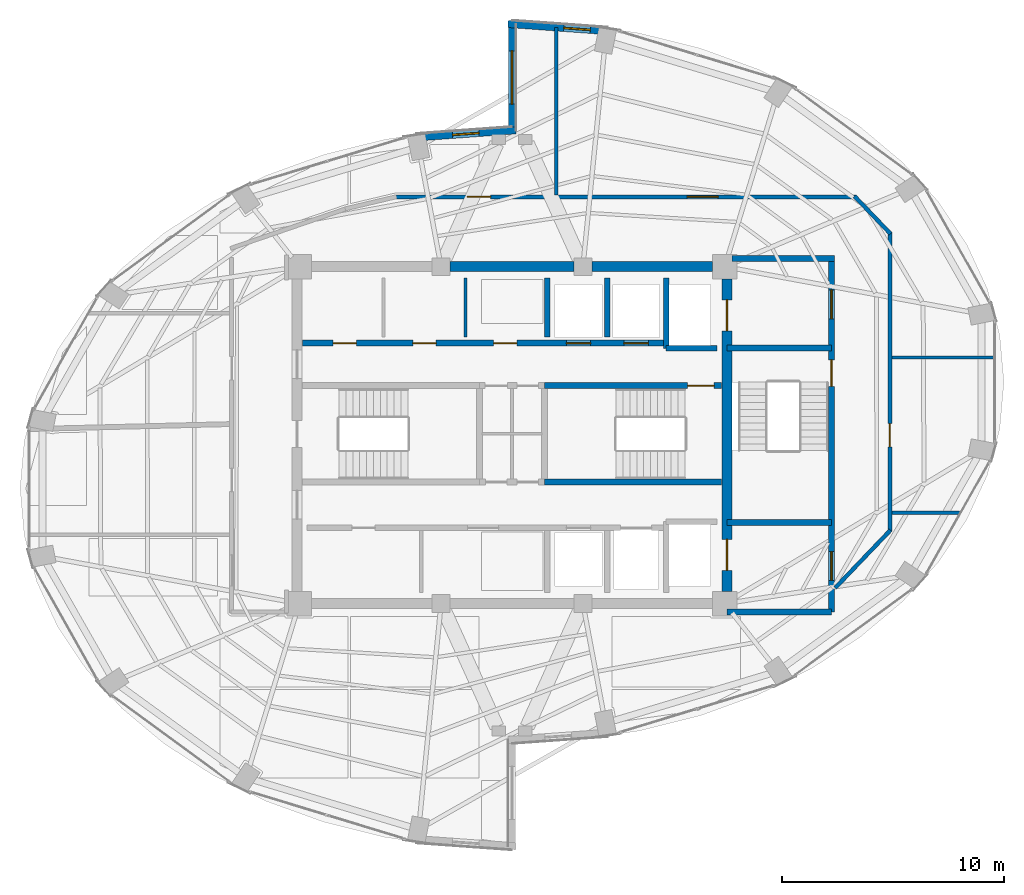
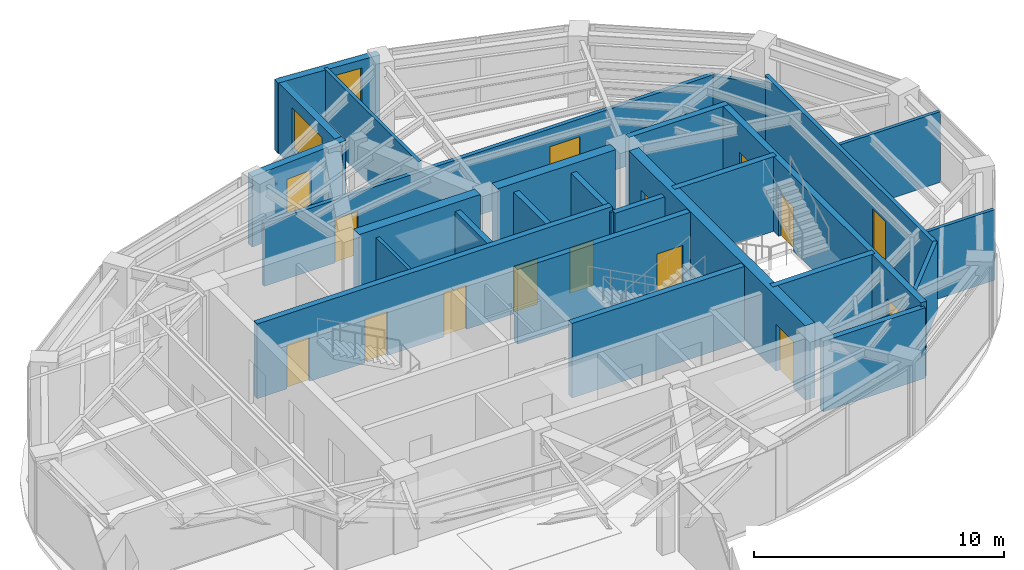
# One storey, part 20 of 23: 26 walls, 14 doors, 3 windows, 17 openings.
"""IFC4 building model written with IfcOpenShell, lengths in metres."""

from ifc_helpers import new_model, si_unit, direction, frame, frame_2d, origin, place, context, subcontext, project, spatial, rectangle, extrude, material, layer, layer_set, type_object, element, fill, save


model = new_model("IFC4")

# Units and contexts
model_context = context("Model", 3, precision=1e-05, world=origin(), true_north=direction((0.0, 1.0)))
body_context = subcontext(model_context, "Body", "Model", "MODEL_VIEW")
ifc_project = project(units=[si_unit("LENGTHUNIT", "METRE"), si_unit("AREAUNIT", "SQUARE_METRE"), si_unit("VOLUMEUNIT", "CUBIC_METRE"), si_unit("PLANEANGLEUNIT", "RADIAN"), si_unit("MASSUNIT", "GRAM", prefix="KILO")], contexts=[model_context])

# Site, building, storey
site_placement = place(None, origin())
site = spatial("IfcSite", under=ifc_project, at=site_placement, CompositionType="ELEMENT")
building_placement = place(site_placement, origin())
building = spatial("IfcBuilding", under=site, at=building_placement, Name="Lazwardi Medical Tower", CompositionType="ELEMENT")
storey_placement = place(building_placement, frame((0.0, 0.0, 234.9599609375)))
storey = spatial("IfcBuildingStorey", under=building, at=storey_placement, Name="L61", CompositionType="ELEMENT", Elevation=234.9599609375)

# Wall, openings, doors
ifc_material_1 = material(Name="Fire-rated gypsum board on steel stud", Category="steel")
ifc_layer_1 = layer(ifc_material_1, 0.179931640625)
ifc_layer_set_1 = layer_set([ifc_layer_1], Name="Fire-rated gypsum board on steel stud")
wall_type_1 = type_object("IfcWallType", Name="WL-COR-180", PredefinedType="PARTITIONING", material=ifc_layer_set_1)
wall_1_placement = place(storey_placement, frame((30.709716796875, 38.75, 0.0), z_axis=(0.0, 0.0, 1.0), x_axis=(1.0, 0.0, 0.0)))
wall_1 = element("IfcWall", 1, at=wall_1_placement, inside=storey, type_object=wall_type_1, Name="L61 Corridor partition 3", PredefinedType="PARTITIONING", context=body_context, shape_type="SweptSolid", body=[
    extrude(rectangle(XDim=20.8154296875, YDim=0.179931640625, at=frame_2d((10.40771484375, 0.0))), origin(), (0.0, 0.0, 1.0), 3.072998046875),
])
opening_1_placement = place(wall_1_placement, frame((13.19384765625, 0.0, 0.0)))
opening_1 = element("IfcOpeningElement", 2, at=opening_1_placement, cuts=wall_1, Name="Opening D-L61-017", PredefinedType="OPENING", context=body_context, shape_type="SweptSolid", body=[
    extrude(rectangle(XDim=1.39990234375, YDim=2.199951171875, at=frame_2d((0.699951171875, 1.10009765625))), frame((0.0, 0.099853515625, 0.0), z_axis=(0.0, -1.0, 0.0), x_axis=(1.0, 0.0, 0.0)), (0.0, 0.0, 1.0), 0.199951171875),
])
opening_2_placement = place(wall_1_placement, frame((3.279052734375, 0.0, 0.0)))
opening_2 = element("IfcOpeningElement", 3, at=opening_2_placement, cuts=wall_1, Name="Opening D-L61-018", PredefinedType="OPENING", context=body_context, shape_type="SweptSolid", body=[
    extrude(rectangle(XDim=1.050048828125, YDim=2.14990234375, at=frame_2d((0.52490234375, 1.074951171875))), frame((0.0, 0.099853515625, 0.0), z_axis=(0.0, -1.0, 0.0), x_axis=(1.0, 0.0, 0.0)), (0.0, 0.0, 1.0), 0.199951171875),
])
ifc_material_2 = material(Name="Anti-microbial laminate hospital leaf")
door_type_1 = type_object("IfcDoorType", Name="DR-BED-1400", OperationType="NOTDEFINED", PredefinedType="DOOR", material=ifc_material_2)
door_1_placement = place(opening_1_placement, origin())
door_1 = element("IfcDoor", 4, at=door_1_placement, inside=storey, type_object=door_type_1, Name="L61 Patient Day Lounge Door 04", OperationType="SINGLE_SWING_RIGHT", OverallHeight=2.199951171875, OverallWidth=1.39990234375, PredefinedType="DOOR", context=body_context, shape_type="SweptSolid", body=[
    extrude(rectangle(XDim=1.39990234375, YDim=2.199951171875, at=frame_2d((0.699951171875, 1.10009765625))), frame((0.0, 0.02490234375, 0.0), z_axis=(0.0, -1.0, 0.0), x_axis=(1.0, 0.0, 0.0)), (0.0, 0.0, 1.0), 0.050048828125),
])
fill(opening_1, door_1)
door_type_2 = type_object("IfcDoorType", Name="DR-CLN-1050", OperationType="NOTDEFINED", PredefinedType="DOOR", material=ifc_material_2)
door_2_placement = place(opening_2_placement, origin())
door_2 = element("IfcDoor", 5, at=door_2_placement, inside=storey, type_object=door_type_2, Name="L61 Clinical Specialist Office Door 05", OperationType="SINGLE_SWING_LEFT", OverallHeight=2.14990234375, OverallWidth=1.050048828125, PredefinedType="DOOR", context=body_context, shape_type="SweptSolid", body=[
    extrude(rectangle(XDim=1.050048828125, YDim=2.14990234375, at=frame_2d((0.52490234375, 1.074951171875))), frame((0.0, 0.02490234375, 0.0), z_axis=(0.0, -1.0, 0.0), x_axis=(1.0, 0.0, 0.0)), (0.0, 0.0, 1.0), 0.050048828125),
])
fill(opening_2, door_2)

# Wall
wall_2_placement = place(storey_placement, frame((51.45751953125, 38.77880859375, 0.0), z_axis=(0.0, 0.0, 1.0), x_axis=(0.691359830363, -0.722510612352, 0.0)))
element("IfcWall", 6, at=wall_2_placement, inside=storey, type_object=wall_type_1, Name="L61 Corridor partition 4", PredefinedType="PARTITIONING", context=body_context, shape_type="SweptSolid", body=[
    extrude(rectangle(XDim=2.34326171875, YDim=0.179931640625, at=frame_2d((1.171630859375, 0.0))), origin(), (0.0, 0.0, 1.0), 3.032958984375),
])

# Wall, opening, door
wall_3_placement = place(storey_placement, frame((53.050048828125, 37.154541015625, 0.0), z_axis=(0.0, 0.0, 1.0), x_axis=(0.0, -1.0, 0.0)))
wall_3 = element("IfcWall", 7, at=wall_3_placement, inside=storey, type_object=wall_type_1, Name="L61 Corridor partition 5", PredefinedType="PARTITIONING", context=body_context, shape_type="SweptSolid", body=[
    extrude(rectangle(XDim=13.509033203125, YDim=0.179931640625, at=frame_2d((6.75439453125, 0.0))), origin(), (0.0, 0.0, 1.0), 3.447998046875),
])
opening_3_placement = place(wall_3_placement, frame((8.62939453125, 0.0, 0.0)))
opening_3 = element("IfcOpeningElement", 8, at=opening_3_placement, cuts=wall_3, Name="Opening D-L61-016", PredefinedType="OPENING", context=body_context, shape_type="SweptSolid", body=[
    extrude(rectangle(XDim=1.050048828125, YDim=2.14990234375, at=frame_2d((0.52490234375, 1.074951171875))), frame((0.0, 0.099853515625, 0.0), z_axis=(0.0, -1.0, 0.0), x_axis=(1.0, 0.0, 0.0)), (0.0, 0.0, 1.0), 0.199951171875),
])
door_3_placement = place(opening_3_placement, origin())
door_3 = element("IfcDoor", 9, at=door_3_placement, inside=storey, type_object=door_type_2, Name="L61 Outpatient Clinic Door 03", OperationType="SINGLE_SWING_LEFT", OverallHeight=2.14990234375, OverallWidth=1.050048828125, PredefinedType="DOOR", context=body_context, shape_type="SweptSolid", body=[
    extrude(rectangle(XDim=1.050048828125, YDim=2.14990234375, at=frame_2d((0.52490234375, 1.074951171875))), frame((0.0, 0.02490234375, 0.0), z_axis=(0.0, -1.0, 0.0), x_axis=(1.0, 0.0, 0.0)), (0.0, 0.0, 1.0), 0.050048828125),
])
fill(opening_3, door_3)

# Wall
wall_4_placement = place(storey_placement, frame((53.07763671875, 23.71435546875, 0.0), z_axis=(0.0, 0.0, 1.0), x_axis=(-0.691353379446, -0.722516785085, 0.0)))
element("IfcWall", 10, at=wall_4_placement, inside=storey, type_object=wall_type_1, Name="L61 Corridor partition 6", PredefinedType="PARTITIONING", context=body_context, shape_type="SweptSolid", body=[
    extrude(rectangle(XDim=3.603759765625, YDim=0.179931640625, at=frame_2d((1.8017578125, 0.0))), origin(), (0.0, 0.0, 1.0), 3.447998046875),
])

# Wall, openings, doors
ifc_material_3 = material(Name="Concrete C60/75", Category="concrete")
ifc_layer_2 = layer(ifc_material_3, 0.449951171875)
ifc_layer_set_2 = layer_set([ifc_layer_2], Name="Concrete C60/75")
wall_type_2 = type_object("IfcWallType", Name="WL-CORE-450", PredefinedType="SHEAR", material=ifc_layer_set_2)
wall_5_placement = place(storey_placement, frame((45.699951171875, 20.949951171875, 0.0), z_axis=(0.0, 0.0, 1.0), x_axis=(0.0, 1.0, 0.0)))
wall_5 = element("IfcWall", 11, at=wall_5_placement, inside=storey, type_object=wall_type_2, Name="Core wall CW-S4 east L61", PredefinedType="SHEAR", context=body_context, shape_type="SweptSolid", body=[
    extrude(rectangle(XDim=14.10009765625, YDim=0.449951171875, at=frame_2d((7.050048828125, 0.0))), origin(), (0.0, 0.0, 1.0), 3.64794921875),
])
opening_4_placement = place(wall_5_placement, frame((11.75, 0.0, 0.0)))
opening_4 = element("IfcOpeningElement", 12, at=opening_4_placement, cuts=wall_5, Name="Opening LD-L61-001", PredefinedType="OPENING", context=body_context, shape_type="SweptSolid", body=[
    extrude(rectangle(XDim=1.39990234375, YDim=2.300048828125, at=frame_2d((0.699951171875, 1.14990234375))), frame((0.0, 0.23486328125, 0.0), z_axis=(0.0, -1.0, 0.0), x_axis=(1.0, 0.0, 0.0)), (0.0, 0.0, 1.0), 0.469970703125),
])
opening_5_placement = place(wall_5_placement, frame((0.949951171875, 0.0, 0.0)))
opening_5 = element("IfcOpeningElement", 13, at=opening_5_placement, cuts=wall_5, Name="Opening LD-L61-002", PredefinedType="OPENING", context=body_context, shape_type="SweptSolid", body=[
    extrude(rectangle(XDim=1.39990234375, YDim=2.300048828125, at=frame_2d((0.699951171875, 1.14990234375))), frame((0.0, 0.23486328125, 0.0), z_axis=(0.0, -1.0, 0.0), x_axis=(1.0, 0.0, 0.0)), (0.0, 0.0, 1.0), 0.469970703125),
])
ifc_material_4 = material(Name="Brushed stainless steel bed-lift landing door", Category="steel")
door_type_3 = type_object("IfcDoorType", Name="DR-LFT-1400", OperationType="NOTDEFINED", PredefinedType="DOOR", material=ifc_material_4)
door_4_placement = place(opening_4_placement, origin())
door_4 = element("IfcDoor", 14, at=door_4_placement, inside=storey, type_object=door_type_3, Name="L61 Lift Landing Door FL-01", OperationType="SLIDING_TO_LEFT", OverallHeight=2.300048828125, OverallWidth=1.39990234375, PredefinedType="DOOR", context=body_context, shape_type="SweptSolid", body=[
    extrude(rectangle(XDim=1.39990234375, YDim=2.300048828125, at=frame_2d((0.699951171875, 1.14990234375))), frame((0.0, 0.02490234375, 0.0), z_axis=(0.0, -1.0, 0.0), x_axis=(1.0, 0.0, 0.0)), (0.0, 0.0, 1.0), 0.050048828125),
])
fill(opening_4, door_4)
door_5_placement = place(opening_5_placement, origin())
door_5 = element("IfcDoor", 15, at=door_5_placement, inside=storey, type_object=door_type_3, Name="L61 Lift Landing Door FL-02", OperationType="SLIDING_TO_LEFT", OverallHeight=2.300048828125, OverallWidth=1.39990234375, PredefinedType="DOOR", context=body_context, shape_type="SweptSolid", body=[
    extrude(rectangle(XDim=1.39990234375, YDim=2.300048828125, at=frame_2d((0.699951171875, 1.14990234375))), frame((0.0, 0.02490234375, 0.0), z_axis=(0.0, -1.0, 0.0), x_axis=(1.0, 0.0, 0.0)), (0.0, 0.0, 1.0), 0.050048828125),
])
fill(opening_5, door_5)

# Walls
wall_6_placement = place(storey_placement, frame((33.199951171875, 35.60009765625, 0.0), z_axis=(0.0, 0.0, 1.0), x_axis=(1.0, 0.0, 0.0)))
element("IfcWall", 16, at=wall_6_placement, inside=storey, type_object=wall_type_2, Name="Core wall CW-S4 N2 L61", PredefinedType="SHEAR", context=body_context, shape_type="SweptSolid", body=[
    extrude(rectangle(XDim=5.60009765625, YDim=0.449951171875, at=frame_2d((2.800048828125, 0.0))), origin(), (0.0, 0.0, 1.0), 3.64794921875),
])
wall_7_placement = place(storey_placement, frame((39.60009765625, 35.60009765625, 0.0), z_axis=(0.0, 0.0, 1.0), x_axis=(1.0, 0.0, 0.0)))
element("IfcWall", 17, at=wall_7_placement, inside=storey, type_object=wall_type_2, Name="Core wall CW-S4 N3 L61", PredefinedType="SHEAR", context=body_context, shape_type="SweptSolid", body=[
    extrude(rectangle(XDim=5.449951171875, YDim=0.449951171875, at=frame_2d((2.72509765625, 0.0))), origin(), (0.0, 0.0, 1.0), 3.64794921875),
])

# Wall, opening, window
ifc_material_5 = material(Name="Precast concrete C45/55", Category="concrete")
ifc_layer_3 = layer(ifc_material_5, 0.320068359375)
ifc_layer_set_3 = layer_set([ifc_layer_3], Name="Precast concrete C45/55")
wall_type_3 = type_object("IfcWallType", Name="WL-IWAN-320", PredefinedType="SOLIDWALL", material=ifc_layer_set_3)
wall_8_placement = place(storey_placement, frame((40.349609375, 46.226318359375, 0.0), z_axis=(0.0, 0.0, 1.0), x_axis=(-0.997409061056, 0.071938619141, 0.0)))
wall_8 = element("IfcWall", 18, at=wall_8_placement, inside=storey, type_object=wall_type_3, Name="L61 Iwan Portal Return Wall NE_ret", PredefinedType="SOLIDWALL", context=body_context, shape_type="SweptSolid", body=[
    extrude(rectangle(XDim=4.540771484375, YDim=0.320068359375, at=frame_2d((2.2705078125, 0.0))), origin(), (0.0, 0.0, 1.0), 3.447998046875),
])
opening_6_placement = place(wall_8_placement, frame((0.814697265625, 0.0, 0.85009765625)))
opening_6 = element("IfcOpeningElement", 19, at=opening_6_placement, cuts=wall_8, Name="Opening WN-01", PredefinedType="OPENING", context=body_context, shape_type="SweptSolid", body=[
    extrude(rectangle(XDim=1.199951171875, YDim=2.199951171875, at=frame_2d((0.60009765625, 1.10009765625))), frame((0.0, 0.169921875, 0.0), z_axis=(0.0, -1.0, 0.0), x_axis=(1.0, 0.0, 0.0)), (0.0, 0.0, 1.0), 0.340087890625),
])
ifc_material_6 = material(Name="Low-e bronze solar control double glazing", Category="glass")
window_type_1 = type_object("IfcWindowType", Name="WIN-IW-1200", PartitioningType="SINGLE_PANEL", PredefinedType="WINDOW", material=ifc_material_6)
window_1_placement = place(opening_6_placement, origin())
window_1 = element("IfcWindow", 20, at=window_1_placement, inside=storey, type_object=window_type_1, Name="L61 Iwan Slot Window NE_ret", OverallHeight=2.199951171875, OverallWidth=1.199951171875, PartitioningType="SINGLE_PANEL", PredefinedType="WINDOW", context=body_context, shape_type="SweptSolid", body=[
    extrude(rectangle(XDim=1.199951171875, YDim=2.199951171875, at=frame_2d((0.60009765625, 1.10009765625))), frame((0.0, 0.030029296875, 0.0), z_axis=(0.0, -1.0, 0.0), x_axis=(1.0, 0.0, 0.0)), (0.0, 0.0, 1.0), 0.06005859375),
])
fill(opening_6, window_1)

wall_9_placement = place(storey_placement, frame((36.17919921875, 41.7529296875, 0.0), z_axis=(0.0, 0.0, 1.0), x_axis=(-0.997408782787, -0.071942477163, 0.0)))
wall_9 = element("IfcWall", 21, at=wall_9_placement, inside=storey, type_object=wall_type_3, Name="L61 Iwan Portal Return Wall NW_ret", PredefinedType="SOLIDWALL", context=body_context, shape_type="SweptSolid", body=[
    extrude(rectangle(XDim=4.54052734375, YDim=0.320068359375, at=frame_2d((2.270263671875, 0.0))), origin(), (0.0, 0.0, 1.0), 3.447998046875),
])
opening_7_placement = place(wall_9_placement, frame((1.67041015625, 0.0, 0.85009765625)))
opening_7 = element("IfcOpeningElement", 22, at=opening_7_placement, cuts=wall_9, Name="Opening WN-04", PredefinedType="OPENING", context=body_context, shape_type="SweptSolid", body=[
    extrude(rectangle(XDim=1.199951171875, YDim=1.800048828125, at=frame_2d((0.60009765625, 0.89990234375))), frame((0.0, 0.169921875, 0.0), z_axis=(0.0, -1.0, 0.0), x_axis=(1.0, 0.0, 0.0)), (0.0, 0.0, 1.0), 0.340087890625),
])
window_type_2 = type_object("IfcWindowType", Name="WIN-DRUM-1200", PartitioningType="SINGLE_PANEL", PredefinedType="WINDOW", material=ifc_material_6)
window_2_placement = place(opening_7_placement, origin())
window_2 = element("IfcWindow", 23, at=window_2_placement, inside=storey, type_object=window_type_2, Name="L61 Iwan Slot Window NW_ret", OverallHeight=1.800048828125, OverallWidth=1.199951171875, PartitioningType="SINGLE_PANEL", PredefinedType="WINDOW", context=body_context, shape_type="SweptSolid", body=[
    extrude(rectangle(XDim=1.199951171875, YDim=1.800048828125, at=frame_2d((0.60009765625, 0.89990234375))), frame((0.0, 0.030029296875, 0.0), z_axis=(0.0, -1.0, 0.0), x_axis=(1.0, 0.0, 0.0)), (0.0, 0.0, 1.0), 0.06005859375),
])
fill(opening_7, window_2)

wall_10_placement = place(storey_placement, frame((36.0, 46.699951171875, 0.0), z_axis=(0.0, 0.0, 1.0), x_axis=(0.0, -1.0, 0.0)))
wall_10 = element("IfcWall", 24, at=wall_10_placement, inside=storey, type_object=wall_type_3, Name="L61 Turquoise Tilework Iwan Seam Wall N_seam", PredefinedType="SOLIDWALL", context=body_context, shape_type="SweptSolid", body=[
    extrude(rectangle(XDim=5.119873046875, YDim=0.320068359375, at=frame_2d((2.56005859375, 0.0))), origin(), (0.0, 0.0, 1.0), 3.447998046875),
])
opening_8_placement = place(wall_10_placement, frame((1.360107421875, 0.0, 0.840087890625)))
opening_8 = element("IfcOpeningElement", 25, at=opening_8_placement, cuts=wall_10, Name="Opening WN-02", PredefinedType="OPENING", context=body_context, shape_type="SweptSolid", body=[
    extrude(rectangle(XDim=2.39990234375, YDim=2.0400390625, at=frame_2d((1.199951171875, 1.02001953125))), frame((0.0, 0.169921875, 0.0), z_axis=(0.0, -1.0, 0.0), x_axis=(1.0, 0.0, 0.0)), (0.0, 0.0, 1.0), 0.340087890625),
])
window_type_3 = type_object("IfcWindowType", Name="WIN-IW-2400", PartitioningType="SINGLE_PANEL", PredefinedType="WINDOW", material=ifc_material_6)
window_3_placement = place(opening_8_placement, origin())
window_3 = element("IfcWindow", 26, at=window_3_placement, inside=storey, type_object=window_type_3, Name="L61 Iwan Seam Window N_seam", OverallHeight=2.0400390625, OverallWidth=2.39990234375, PartitioningType="SINGLE_PANEL", PredefinedType="WINDOW", context=body_context, shape_type="SweptSolid", body=[
    extrude(rectangle(XDim=2.39990234375, YDim=2.0400390625, at=frame_2d((1.199951171875, 1.02001953125))), frame((0.0, 0.030029296875, 0.0), z_axis=(0.0, -1.0, 0.0), x_axis=(1.0, 0.0, 0.0)), (0.0, 0.0, 1.0), 0.06005859375),
])
fill(opening_8, window_3)

# Walls
ifc_material_7 = material(Name="Autoclaved aerated concrete blockwork", Category="masonry")
ifc_layer_4 = layer(ifc_material_7, 0.25)
ifc_layer_set_4 = layer_set([ifc_layer_4], Name="Autoclaved aerated concrete blockwork")
wall_type_4 = type_object("IfcWallType", Name="WL-SHAFT-250", PredefinedType="SOLIDWALL", material=ifc_layer_set_4)
wall_11_placement = place(storey_placement, frame((42.949951171875, 31.919921875, 0.0), z_axis=(0.0, 0.0, 1.0), x_axis=(0.0, 1.0, 0.0)))
element("IfcWall", 27, at=wall_11_placement, inside=storey, type_object=wall_type_4, Name="L61 FL-01 West shaft wall", PredefinedType="SOLIDWALL", context=body_context, shape_type="SweptSolid", body=[
    extrude(rectangle(XDim=3.18017578125, YDim=0.25, at=frame_2d((1.590087890625, 0.0))), origin(), (0.0, 0.0, 1.0), 3.447998046875),
])
wall_12_placement = place(storey_placement, frame((42.949951171875, 31.919921875, 0.0), z_axis=(0.0, 0.0, 1.0), x_axis=(1.0, 0.0, 0.0)))
element("IfcWall", 28, at=wall_12_placement, inside=storey, type_object=wall_type_4, Name="L61 FL-01 South shaft wall", PredefinedType="SOLIDWALL", context=body_context, shape_type="SweptSolid", body=[
    extrude(rectangle(XDim=2.300048828125, YDim=0.25, at=frame_2d((1.14990234375, 0.0))), origin(), (0.0, 0.0, 1.0), 3.447998046875),
])
for number, where, z_axis, x_axis, name in (
    (29, (37.60009765625, 32.419921875, 0.0), (0.0, 0.0, 1.0), (0.0, 1.0, 0.0), "L61 North hoistway divider"),
    (30, (40.300048828125, 32.419921875, 0.0), (0.0, 0.0, 1.0), (0.0, 1.0, 0.0), "L61 North hoistway divider"),
):
    element("IfcWall", number, at=place(storey_placement, frame(where, z_axis=z_axis, x_axis=x_axis)), inside=storey, type_object=wall_type_4, Name=name, PredefinedType="SOLIDWALL", context=body_context, shape_type="SweptSolid", body=[
        extrude(rectangle(XDim=2.68017578125, YDim=0.25, at=frame_2d((1.340087890625, 0.0))), origin(), (0.0, 0.0, 1.0), 3.447998046875),
    ])
wall_13_placement = place(storey_placement, frame((45.699951171875, 20.02001953125, 0.0), z_axis=(0.0, 0.0, 1.0), x_axis=(1.0, 0.0, 0.0)))
element("IfcWall", 31, at=wall_13_placement, inside=storey, type_object=wall_type_4, Name="L61 FFL-S South wall", PredefinedType="SOLIDWALL", context=body_context, shape_type="SweptSolid", body=[
    extrude(rectangle(XDim=4.715087890625, YDim=0.25, at=frame_2d((2.357421875, 0.0))), origin(), (0.0, 0.0, 1.0), 3.447998046875),
])

# Wall, opening, door
ifc_material_8 = material(Name="Concrete C50/60", Category="concrete")
ifc_layer_5 = layer(ifc_material_8, 0.27001953125)
ifc_layer_set_5 = layer_set([ifc_layer_5], Name="Concrete C50/60")
wall_type_5 = type_object("IfcWallType", Name="WL-STR-250", PredefinedType="SHEAR", material=ifc_layer_set_5)
wall_14_placement = place(storey_placement, frame((37.465087890625, 30.235107421875, 0.0), z_axis=(0.0, 0.0, 1.0), x_axis=(1.0, 0.0, 0.0)))
wall_14 = element("IfcWall", 32, at=wall_14_placement, inside=storey, type_object=wall_type_5, Name="L61 ST2 North shear shaft wall SW-S1", PredefinedType="SHEAR", context=body_context, shape_type="SweptSolid", body=[
    extrude(rectangle(XDim=7.98486328125, YDim=0.27001953125, at=frame_2d((3.992431640625, 0.0))), origin(), (0.0, 0.0, 1.0), 3.64794921875),
])
opening_9_placement = place(wall_14_placement, frame((6.455078125, 0.0, 0.0)))
opening_9 = element("IfcOpeningElement", 33, at=opening_9_placement, cuts=wall_14, Name="Opening D-L61-021", PredefinedType="OPENING", context=body_context, shape_type="SweptSolid", body=[
    extrude(rectangle(XDim=1.199951171875, YDim=2.14990234375, at=frame_2d((0.60009765625, 1.074951171875))), frame((0.0, 0.14501953125, 0.0), z_axis=(0.0, -1.0, 0.0), x_axis=(1.0, 0.0, 0.0)), (0.0, 0.0, 1.0), 0.2900390625),
])
ifc_material_9 = material(Name="Fire-rated steel leaf and frame", Category="steel")
door_type_4 = type_object("IfcDoorType", Name="DR-STR-1200", OperationType="NOTDEFINED", PredefinedType="DOOR", material=ifc_material_9)
door_6_placement = place(opening_9_placement, origin())
door_6 = element("IfcDoor", 34, at=door_6_placement, inside=storey, type_object=door_type_4, Name="L61 Exit Stair ST2 Door", OperationType="SINGLE_SWING_RIGHT", OverallHeight=2.14990234375, OverallWidth=1.199951171875, PredefinedType="DOOR", context=body_context, shape_type="SweptSolid", body=[
    extrude(rectangle(XDim=1.199951171875, YDim=2.14990234375, at=frame_2d((0.60009765625, 1.074951171875))), frame((0.0, 0.02490234375, 0.0), z_axis=(0.0, -1.0, 0.0), x_axis=(1.0, 0.0, 0.0)), (0.0, 0.0, 1.0), 0.050048828125),
])
fill(opening_9, door_6)

# Wall
wall_15_placement = place(storey_placement, frame((37.465087890625, 25.885009765625, 0.0), z_axis=(0.0, 0.0, 1.0), x_axis=(1.0, 0.0, 0.0)))
element("IfcWall", 35, at=wall_15_placement, inside=storey, type_object=wall_type_5, Name="L61 ST2 South shear shaft wall SW-S1", PredefinedType="SHEAR", context=body_context, shape_type="SweptSolid", body=[
    extrude(rectangle(XDim=7.98486328125, YDim=0.27001953125, at=frame_2d((3.992431640625, 0.0))), origin(), (0.0, 0.0, 1.0), 3.64794921875),
])

# Wall, openings, doors
wall_16_placement = place(storey_placement, frame((26.550048828125, 32.14990234375, 0.0), z_axis=(0.0, 0.0, 1.0), x_axis=(1.0, 0.0, 0.0)))
wall_16 = element("IfcWall", 36, at=wall_16_placement, inside=storey, type_object=wall_type_5, Name="L61 North lift bank shear wall SW-S1", PredefinedType="SHEAR", context=body_context, shape_type="SweptSolid", body=[
    extrude(rectangle(XDim=16.39990234375, YDim=0.27001953125, at=frame_2d((8.199951171875, 0.0))), origin(), (0.0, 0.0, 1.0), 3.64794921875),
])
opening_10_placement = place(wall_16_placement, frame((1.375, 0.0, 0.0)))
opening_10 = element("IfcOpeningElement", 37, at=opening_10_placement, cuts=wall_16, Name="Opening D-L61-005", PredefinedType="OPENING", context=body_context, shape_type="SweptSolid", body=[
    extrude(rectangle(XDim=1.050048828125, YDim=2.14990234375, at=frame_2d((0.52490234375, 1.074951171875))), frame((0.0, 0.14501953125, 0.0), z_axis=(0.0, -1.0, 0.0), x_axis=(1.0, 0.0, 0.0)), (0.0, 0.0, 1.0), 0.2900390625),
])
opening_11_placement = place(wall_16_placement, frame((4.97509765625, 0.0, 0.0)))
opening_11 = element("IfcOpeningElement", 38, at=opening_11_placement, cuts=wall_16, Name="Opening D-L61-006", PredefinedType="OPENING", context=body_context, shape_type="SweptSolid", body=[
    extrude(rectangle(XDim=1.050048828125, YDim=2.14990234375, at=frame_2d((0.52490234375, 1.074951171875))), frame((0.0, 0.14501953125, 0.0), z_axis=(0.0, -1.0, 0.0), x_axis=(1.0, 0.0, 0.0)), (0.0, 0.0, 1.0), 0.2900390625),
])
opening_12_placement = place(wall_16_placement, frame((8.625, 0.0, 0.0)))
opening_12 = element("IfcOpeningElement", 39, at=opening_12_placement, cuts=wall_16, Name="Opening D-L61-007", PredefinedType="OPENING", context=body_context, shape_type="SweptSolid", body=[
    extrude(rectangle(XDim=1.050048828125, YDim=2.14990234375, at=frame_2d((0.52490234375, 1.074951171875))), frame((0.0, 0.14501953125, 0.0), z_axis=(0.0, -1.0, 0.0), x_axis=(1.0, 0.0, 0.0)), (0.0, 0.0, 1.0), 0.2900390625),
])
opening_13_placement = place(wall_16_placement, frame((11.89990234375, 0.0, 0.0)))
opening_13 = element("IfcOpeningElement", 40, at=opening_13_placement, cuts=wall_16, Name="Opening LD-L61-004", PredefinedType="OPENING", context=body_context, shape_type="SweptSolid", body=[
    extrude(rectangle(XDim=1.10009765625, YDim=2.199951171875, at=frame_2d((0.550048828125, 1.10009765625))), frame((0.0, 0.14501953125, 0.0), z_axis=(0.0, -1.0, 0.0), x_axis=(1.0, 0.0, 0.0)), (0.0, 0.0, 1.0), 0.2900390625),
])
opening_14_placement = place(wall_16_placement, frame((14.5, 0.0, 0.0)))
opening_14 = element("IfcOpeningElement", 41, at=opening_14_placement, cuts=wall_16, Name="Opening LD-L61-005", PredefinedType="OPENING", context=body_context, shape_type="SweptSolid", body=[
    extrude(rectangle(XDim=1.10009765625, YDim=2.199951171875, at=frame_2d((0.550048828125, 1.10009765625))), frame((0.0, 0.14501953125, 0.0), z_axis=(0.0, -1.0, 0.0), x_axis=(1.0, 0.0, 0.0)), (0.0, 0.0, 1.0), 0.2900390625),
])
door_7_placement = place(opening_10_placement, origin())
door_7 = element("IfcDoor", 42, at=door_7_placement, inside=storey, type_object=door_type_2, Name="L61 Pantry Door", OperationType="SINGLE_SWING_LEFT", OverallHeight=2.14990234375, OverallWidth=1.050048828125, PredefinedType="DOOR", context=body_context, shape_type="SweptSolid", body=[
    extrude(rectangle(XDim=1.050048828125, YDim=2.14990234375, at=frame_2d((0.52490234375, 1.074951171875))), frame((0.0, 0.02490234375, 0.0), z_axis=(0.0, -1.0, 0.0), x_axis=(1.0, 0.0, 0.0)), (0.0, 0.0, 1.0), 0.050048828125),
])
fill(opening_10, door_7)
door_8_placement = place(opening_11_placement, origin())
door_8 = element("IfcDoor", 43, at=door_8_placement, inside=storey, type_object=door_type_2, Name="L61 Pharmacy Door", OperationType="SINGLE_SWING_RIGHT", OverallHeight=2.14990234375, OverallWidth=1.050048828125, PredefinedType="DOOR", context=body_context, shape_type="SweptSolid", body=[
    extrude(rectangle(XDim=1.050048828125, YDim=2.14990234375, at=frame_2d((0.52490234375, 1.074951171875))), frame((0.0, 0.02490234375, 0.0), z_axis=(0.0, -1.0, 0.0), x_axis=(1.0, 0.0, 0.0)), (0.0, 0.0, 1.0), 0.050048828125),
])
fill(opening_11, door_8)
door_9_placement = place(opening_12_placement, origin())
door_9 = element("IfcDoor", 44, at=door_9_placement, inside=storey, type_object=door_type_2, Name="L61 Consult Door", OperationType="SINGLE_SWING_LEFT", OverallHeight=2.14990234375, OverallWidth=1.050048828125, PredefinedType="DOOR", context=body_context, shape_type="SweptSolid", body=[
    extrude(rectangle(XDim=1.050048828125, YDim=2.14990234375, at=frame_2d((0.52490234375, 1.074951171875))), frame((0.0, 0.02490234375, 0.0), z_axis=(0.0, -1.0, 0.0), x_axis=(1.0, 0.0, 0.0)), (0.0, 0.0, 1.0), 0.050048828125),
])
fill(opening_12, door_9)
ifc_material_10 = material(Name="Brushed bronze stainless steel landing door", Category="steel")
door_type_5 = type_object("IfcDoorType", Name="DR-LFT-1100", OperationType="NOTDEFINED", PredefinedType="DOOR", material=ifc_material_10)
door_10_placement = place(opening_13_placement, origin())
door_10 = element("IfcDoor", 45, at=door_10_placement, inside=storey, type_object=door_type_5, Name="L61 Lift Landing Door PL-09", OperationType="SLIDING_TO_LEFT", OverallHeight=2.199951171875, OverallWidth=1.10009765625, PredefinedType="DOOR", context=body_context, shape_type="SweptSolid", body=[
    extrude(rectangle(XDim=1.10009765625, YDim=2.199951171875, at=frame_2d((0.550048828125, 1.10009765625))), frame((0.0, 0.02490234375, 0.0), z_axis=(0.0, -1.0, 0.0), x_axis=(1.0, 0.0, 0.0)), (0.0, 0.0, 1.0), 0.050048828125),
])
fill(opening_13, door_10)
door_11_placement = place(opening_14_placement, origin())
door_11 = element("IfcDoor", 46, at=door_11_placement, inside=storey, type_object=door_type_5, Name="L61 Lift Landing Door PL-10", OperationType="SLIDING_TO_LEFT", OverallHeight=2.199951171875, OverallWidth=1.10009765625, PredefinedType="DOOR", context=body_context, shape_type="SweptSolid", body=[
    extrude(rectangle(XDim=1.10009765625, YDim=2.199951171875, at=frame_2d((0.550048828125, 1.10009765625))), frame((0.0, 0.02490234375, 0.0), z_axis=(0.0, -1.0, 0.0), x_axis=(1.0, 0.0, 0.0)), (0.0, 0.0, 1.0), 0.050048828125),
])
fill(opening_14, door_11)

wall_17_placement = place(storey_placement, frame((50.4150390625, 35.844970703125, 0.0), z_axis=(0.0, 0.0, 1.0), x_axis=(0.0, -1.0, 0.0)))
wall_17 = element("IfcWall", 47, at=wall_17_placement, inside=storey, type_object=wall_type_5, Name="L61 East ST3 & FFL shear wall SW-S1", PredefinedType="SHEAR", context=body_context, shape_type="SweptSolid", body=[
    extrude(rectangle(XDim=15.824951171875, YDim=0.27001953125, at=frame_2d((7.91259765625, 0.0))), origin(), (0.0, 0.0, 1.0), 3.64794921875),
])
opening_15_placement = place(wall_17_placement, frame((4.445068359375, 0.0, 0.0)))
opening_15 = element("IfcOpeningElement", 48, at=opening_15_placement, cuts=wall_17, Name="Opening D-L61-022", PredefinedType="OPENING", context=body_context, shape_type="SweptSolid", body=[
    extrude(rectangle(XDim=1.199951171875, YDim=2.14990234375, at=frame_2d((0.60009765625, 1.074951171875))), frame((0.0, 0.14501953125, 0.0), z_axis=(0.0, -1.0, 0.0), x_axis=(1.0, 0.0, 0.0)), (0.0, 0.0, 1.0), 0.2900390625),
])
opening_16_placement = place(wall_17_placement, frame((1.294921875, 0.0, 0.0)))
opening_16 = element("IfcOpeningElement", 49, at=opening_16_placement, cuts=wall_17, Name="Opening D-L61-010", PredefinedType="OPENING", context=body_context, shape_type="SweptSolid", body=[
    extrude(rectangle(XDim=1.300048828125, YDim=2.199951171875, at=frame_2d((0.64990234375, 1.10009765625))), frame((0.0, 0.14501953125, 0.0), z_axis=(0.0, -1.0, 0.0), x_axis=(1.0, 0.0, 0.0)), (0.0, 0.0, 1.0), 0.2900390625),
])
opening_17_placement = place(wall_17_placement, frame((13.094970703125, 0.0, 0.0)))
opening_17 = element("IfcOpeningElement", 50, at=opening_17_placement, cuts=wall_17, Name="Opening D-L61-011", PredefinedType="OPENING", context=body_context, shape_type="SweptSolid", body=[
    extrude(rectangle(XDim=1.300048828125, YDim=2.199951171875, at=frame_2d((0.64990234375, 1.10009765625))), frame((0.0, 0.14501953125, 0.0), z_axis=(0.0, -1.0, 0.0), x_axis=(1.0, 0.0, 0.0)), (0.0, 0.0, 1.0), 0.2900390625),
])
door_type_6 = type_object("IfcDoorType", Name="DR-FFL-1300", OperationType="NOTDEFINED", PredefinedType="DOOR", material=ifc_material_9)
door_12_placement = place(opening_16_placement, origin())
door_12 = element("IfcDoor", 51, at=door_12_placement, inside=storey, type_object=door_type_6, Name="L61 Fire-Fighting Lobby North Door", OperationType="SINGLE_SWING_LEFT", OverallHeight=2.199951171875, OverallWidth=1.300048828125, PredefinedType="DOOR", context=body_context, shape_type="SweptSolid", body=[
    extrude(rectangle(XDim=1.300048828125, YDim=2.199951171875, at=frame_2d((0.64990234375, 1.10009765625))), frame((0.0, 0.02490234375, 0.0), z_axis=(0.0, -1.0, 0.0), x_axis=(1.0, 0.0, 0.0)), (0.0, 0.0, 1.0), 0.050048828125),
])
fill(opening_16, door_12)
door_13_placement = place(opening_17_placement, origin())
door_13 = element("IfcDoor", 52, at=door_13_placement, inside=storey, type_object=door_type_6, Name="L61 Fire-Fighting Lobby South Door", OperationType="SINGLE_SWING_RIGHT", OverallHeight=2.199951171875, OverallWidth=1.300048828125, PredefinedType="DOOR", context=body_context, shape_type="SweptSolid", body=[
    extrude(rectangle(XDim=1.300048828125, YDim=2.199951171875, at=frame_2d((0.64990234375, 1.10009765625))), frame((0.0, 0.02490234375, 0.0), z_axis=(0.0, -1.0, 0.0), x_axis=(1.0, 0.0, 0.0)), (0.0, 0.0, 1.0), 0.050048828125),
])
fill(opening_17, door_13)
door_14_placement = place(opening_15_placement, origin())
door_14 = element("IfcDoor", 53, at=door_14_placement, inside=storey, type_object=door_type_4, Name="L61 Exit Stair ST3 Door", OperationType="SINGLE_SWING_RIGHT", OverallHeight=2.14990234375, OverallWidth=1.199951171875, PredefinedType="DOOR", context=body_context, shape_type="SweptSolid", body=[
    extrude(rectangle(XDim=1.199951171875, YDim=2.14990234375, at=frame_2d((0.60009765625, 1.074951171875))), frame((0.0, 0.02490234375, 0.0), z_axis=(0.0, -1.0, 0.0), x_axis=(1.0, 0.0, 0.0)), (0.0, 0.0, 1.0), 0.050048828125),
])
fill(opening_15, door_14)

# Walls
wall_18_placement = place(storey_placement, frame((45.925048828125, 35.97998046875, 0.0), z_axis=(0.0, 0.0, 1.0), x_axis=(1.0, 0.0, 0.0)))
element("IfcWall", 54, at=wall_18_placement, inside=storey, type_object=wall_type_5, Name="L61 FFL-N North shear wall SW-S1", PredefinedType="SHEAR", context=body_context, shape_type="SweptSolid", body=[
    extrude(rectangle(XDim=4.625, YDim=0.27001953125, at=frame_2d((2.3125, 0.0))), origin(), (0.0, 0.0, 1.0), 3.64794921875),
])
for number, where, z_axis, x_axis, name in (
    (55, (45.699951171875, 31.93505859375, 0.0), (0.0, 0.0, 1.0), (1.0, 0.0, 0.0), "L61 ST3 North shear shaft wall SW-S1"),
    (56, (45.699951171875, 24.06494140625, 0.0), (0.0, 0.0, 1.0), (1.0, 0.0, 0.0), "L61 ST3 South shear shaft wall SW-S1"),
):
    element("IfcWall", number, at=place(storey_placement, frame(where, z_axis=z_axis, x_axis=x_axis)), inside=storey, type_object=wall_type_5, Name=name, PredefinedType="SHEAR", context=body_context, shape_type="SweptSolid", body=[
        extrude(rectangle(XDim=4.715087890625, YDim=0.27001953125, at=frame_2d((2.357421875, 0.0))), origin(), (0.0, 0.0, 1.0), 3.64794921875),
    ])
ifc_material_11 = material(Name="Acoustic gypsum board partition")
ifc_layer_6 = layer(ifc_material_11, 0.14990234375)
ifc_layer_set_6 = layer_set([ifc_layer_6], Name="Acoustic gypsum board partition")
wall_type_6 = type_object("IfcWallType", Name="WL-WRD-150", PredefinedType="PARTITIONING", material=ifc_layer_set_6)
wall_19_placement = place(storey_placement, frame((33.89990234375, 32.419921875, 0.0), z_axis=(0.0, 0.0, 1.0), x_axis=(0.0, 1.0, 0.0)))
element("IfcWall", 57, at=wall_19_placement, inside=storey, type_object=wall_type_6, Name="L61 Freed bay2 N split B", PredefinedType="PARTITIONING", context=body_context, shape_type="SweptSolid", body=[
    extrude(rectangle(XDim=2.68017578125, YDim=0.14990234375, at=frame_2d((1.340087890625, 0.0))), origin(), (0.0, 0.0, 1.0), 3.447998046875),
])
wall_20_placement = place(storey_placement, frame((53.139892578125, 24.5, 0.0), z_axis=(0.0, 0.0, 1.0), x_axis=(1.0, 0.0, 0.0)))
element("IfcWall", 58, at=wall_20_placement, inside=storey, type_object=wall_type_6, Name="L61 Room partition 4", PredefinedType="PARTITIONING", context=body_context, shape_type="SweptSolid", body=[
    extrude(rectangle(XDim=3.09521484375, YDim=0.14990234375, at=frame_2d((1.547607421875, 0.0))), origin(), (0.0, 0.0, 1.0), 3.447998046875),
])
wall_21_placement = place(storey_placement, frame((53.139892578125, 31.5, 0.0), z_axis=(0.0, 0.0, 1.0), x_axis=(1.0, 0.0, 0.0)))
element("IfcWall", 59, at=wall_21_placement, inside=storey, type_object=wall_type_6, Name="L61 Room partition 5", PredefinedType="PARTITIONING", context=body_context, shape_type="SweptSolid", body=[
    extrude(rectangle(XDim=4.6318359375, YDim=0.14990234375, at=frame_2d((2.31591796875, 0.0))), origin(), (0.0, 0.0, 1.0), 3.447998046875),
])
wall_22_placement = place(storey_placement, frame((38.0, 38.840087890625, 0.0), z_axis=(0.0, 0.0, 1.0), x_axis=(0.0, 1.0, 0.0)))
element("IfcWall", 60, at=wall_22_placement, inside=storey, type_object=wall_type_6, Name="L61 Room partition 6", PredefinedType="PARTITIONING", context=body_context, shape_type="SweptSolid", body=[
    extrude(rectangle(XDim=7.543212890625, YDim=0.14990234375, at=frame_2d((3.771484375, 0.0))), origin(), (0.0, 0.0, 1.0), 3.447998046875),
])

save(model, "model.ifc")
